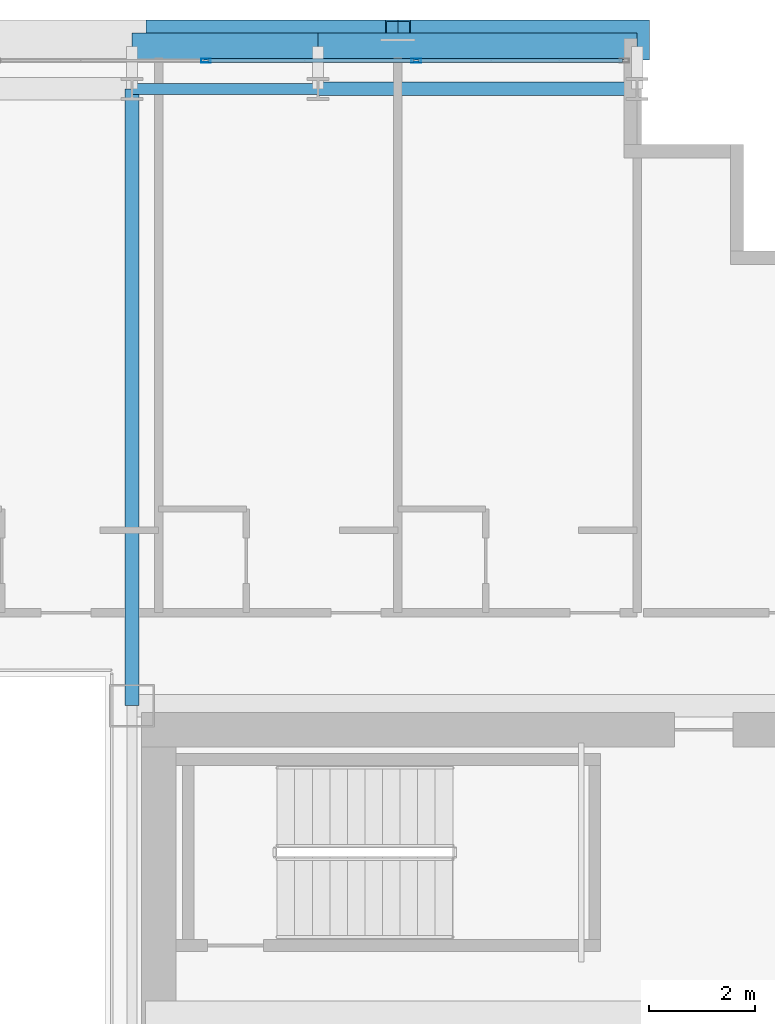
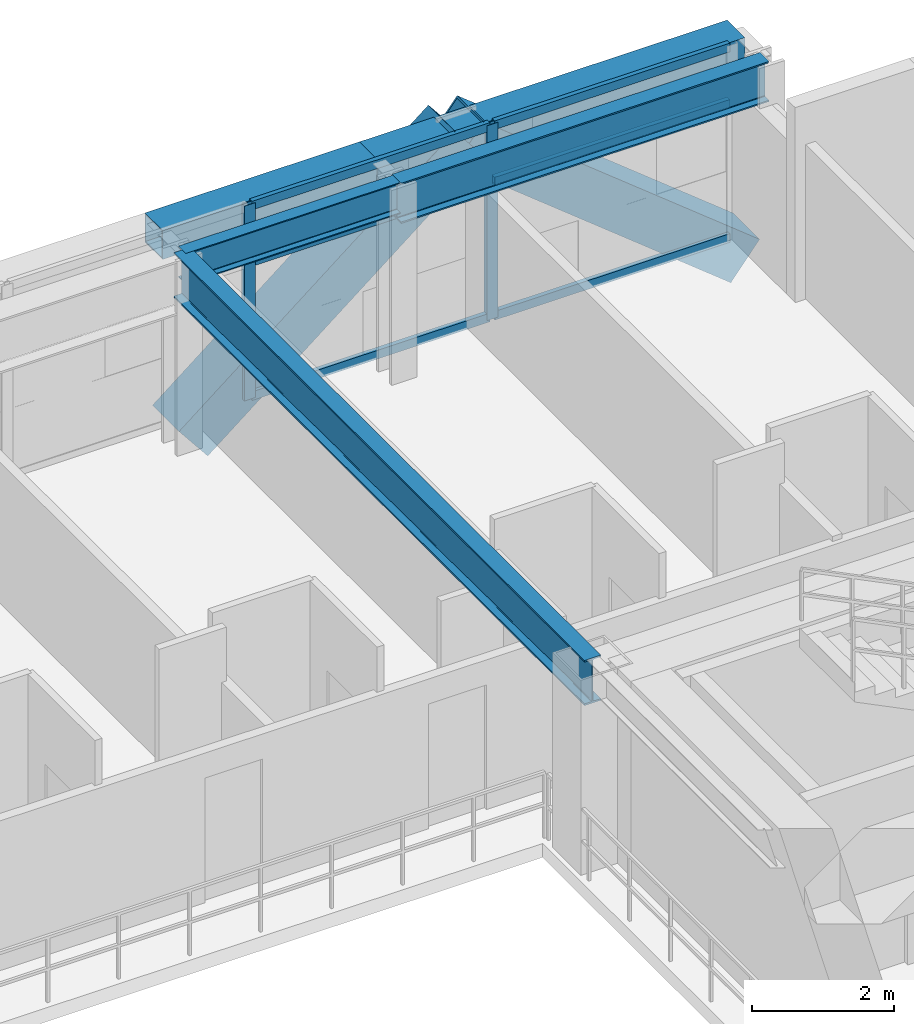
# One storey, part 21 of 36: 10 members, 5 beams, 1 element without a shape of its own.
"""IFC4 building model written with IfcOpenShell, lengths in metres."""

from ifc_helpers import new_model, si_unit, direction, frame, origin, origin_2d, place, context, subcontext, project, spatial, hollow_rectangle, i_section, extrude, source, transform, mapped, material, layer, layer_set, material_profile, profile_set, type_object, element, aggregate, save


model = new_model("IFC4")

# Units and contexts
model_context = context("Model", 3, precision=1e-05, world=origin(), true_north=direction((0.0, 1.0)))
body_context = subcontext(model_context, "Body", "Model", "MODEL_VIEW")
ifc_project = project(units=[si_unit("LENGTHUNIT", "METRE"), si_unit("AREAUNIT", "SQUARE_METRE"), si_unit("VOLUMEUNIT", "CUBIC_METRE"), si_unit("PLANEANGLEUNIT", "RADIAN"), si_unit("MASSUNIT", "GRAM", prefix="KILO")], contexts=[model_context])

# Site, building, storey
site_placement = place(None, origin())
site = spatial("IfcSite", under=ifc_project, at=site_placement, CompositionType="ELEMENT")
building_placement = place(site_placement, origin())
building = spatial("IfcBuilding", under=site, at=building_placement, Name="Ocotamira Hotel", CompositionType="ELEMENT")
storey_placement = place(building_placement, frame((0.0, 0.0, 133.199951171875)))
storey = spatial("IfcBuildingStorey", under=building, at=storey_placement, Name="L33", CompositionType="ELEMENT", Elevation=133.199951171875)

# Beams
ifc_material_1 = material(Name="Steel ASTM A992 Grade 50", Category="steel")
ifc_material_profile_1 = material_profile(ifc_material_1, i_section(OverallWidth=0.256103515625, OverallDepth=0.693115234375, WebThickness=0.014404296875, FlangeThickness=0.023681640625, FilletRadius=0.01611328125, at=origin_2d()), Name="W27X114")
ifc_profile_set_1 = profile_set([ifc_material_profile_1], Name="Steel ASTM A992 Grade 50")
beam_type_1 = type_object("IfcBeamType", Name="BM-PRIM-W27X114", PredefinedType="BEAM", material=ifc_profile_set_1)
shared_shape_1 = source(origin(), body_context, "Body", "SweptSolid", [
    extrude(i_section(OverallWidth=0.256103515625, OverallDepth=0.693115234375, WebThickness=0.014404296875, FlangeThickness=0.023681640625, FilletRadius=0.01611328125, at=origin_2d()), origin(), (0.0, 0.0, 1.0), 6.0),
])
beam_1_placement = place(storey_placement, frame((44.0, 49.050048828125, 3.013427734375), z_axis=(1.0, 0.0, 0.0), x_axis=(0.0, 1.0, 0.0)))
element("IfcBeam", 1, at=beam_1_placement, inside=storey, type_object=beam_type_1, Name="L33 Girder Y49.05 X44-50", PredefinedType="BEAM", context=body_context, shape_type="MappedRepresentation", body=[
    mapped(shared_shape_1, transform((0.0, 0.0, 0.0), scale=1.0)),
])
ifc_material_profile_2 = material_profile(ifc_material_1, i_section(OverallWidth=0.2099609375, OverallDepth=0.537109375, WebThickness=0.010986328125, FlangeThickness=0.017333984375, FilletRadius=0.012939453125, at=origin_2d()), Name="W21X68")
ifc_profile_set_2 = profile_set([ifc_material_profile_2], Name="Steel ASTM A992 Grade 50")
beam_type_2 = type_object("IfcBeamType", Name="BM-SEC-W21X68", PredefinedType="JOIST", material=ifc_profile_set_2)
shared_shape_2 = source(origin(), body_context, "Body", "SweptSolid", [
    extrude(i_section(OverallWidth=0.2099609375, OverallDepth=0.537109375, WebThickness=0.010986328125, FlangeThickness=0.017333984375, FilletRadius=0.012939453125, at=origin_2d()), origin(), (0.0, 0.0, 1.0), 3.5),
])
beam_2_placement = place(storey_placement, frame((40.5, 49.050048828125, 3.091552734375), z_axis=(1.0, 0.0, 0.0), x_axis=(0.0, 1.0, 0.0)))
element("IfcBeam", 2, at=beam_2_placement, inside=storey, type_object=beam_type_2, Name="L33 Girder Y49.05 X40.5-44", PredefinedType="JOIST", context=body_context, shape_type="MappedRepresentation", body=[
    mapped(shared_shape_2, transform((0.0, 0.0, 0.0), scale=1.0)),
])
ifc_material_profile_3 = material_profile(ifc_material_1, i_section(OverallWidth=0.26611328125, OverallDepth=0.779052734375, WebThickness=0.0166015625, FlangeThickness=0.030029296875, FilletRadius=0.01806640625, at=origin_2d()), Name="W30X148")
ifc_profile_set_3 = profile_set([ifc_material_profile_3], Name="Steel ASTM A992 Grade 50")
beam_type_3 = type_object("IfcBeamType", Name="BM-GIRD-W30X148", PredefinedType="BEAM", material=ifc_profile_set_3)
shared_shape_3 = source(origin(), body_context, "Body", "SweptSolid", [
    extrude(i_section(OverallWidth=0.26611328125, OverallDepth=0.779052734375, WebThickness=0.0166015625, FlangeThickness=0.030029296875, FilletRadius=0.01806640625, at=origin_2d()), origin(), (0.0, 0.0, 1.0), 11.60009765625),
])
beam_3_placement = place(storey_placement, frame((40.5, 37.449951171875, 2.970458984375), z_axis=(0.0, 1.0, 0.0), x_axis=(-1.0, 0.0, 0.0)))
element("IfcBeam", 3, at=beam_3_placement, inside=storey, type_object=beam_type_3, Name="L33 Beam X40.5 Y37.45-49.05", PredefinedType="BEAM", context=body_context, shape_type="MappedRepresentation", body=[
    mapped(shared_shape_3, transform((0.0, 0.0, 0.0), scale=1.0)),
])
ifc_material_2 = material(Name="Steel ASTM A500 Grade C", Category="steel")
ifc_material_profile_4 = material_profile(ifc_material_2, hollow_rectangle(XDim=0.5, YDim=0.5, WallThickness=0.02001953125, at=origin_2d()), Name="HSS500X500X20")
ifc_profile_set_4 = profile_set([ifc_material_profile_4], Name="Steel ASTM A500 Grade C")
beam_type_4 = type_object("IfcBeamType", Name="BM-SPAN-HSS500", PredefinedType="USERDEFINED", material=ifc_profile_set_4)
shared_shape_4 = source(origin(), body_context, "Body", "SweptSolid", [
    extrude(hollow_rectangle(XDim=0.5, YDim=0.5, WallThickness=0.02001953125, at=origin_2d()), origin(), (0.0, 0.0, 1.0), 6.0),
])
beam_4_placement = place(storey_placement, frame((44.0, 49.85009765625, 3.110107421875), z_axis=(1.0, 0.0, 0.0), x_axis=(0.0, 1.0, 0.0)))
element("IfcBeam", 4, at=beam_4_placement, inside=storey, type_object=beam_type_4, Name="L33 Edge Spandrel N X44-50", ObjectType="SPANDREL", PredefinedType="USERDEFINED", context=body_context, shape_type="MappedRepresentation", body=[
    mapped(shared_shape_4, transform((0.0, 0.0, 0.0), scale=1.0)),
])
shared_shape_5 = source(origin(), body_context, "Body", "SweptSolid", [
    extrude(hollow_rectangle(XDim=0.5, YDim=0.5, WallThickness=0.02001953125, at=origin_2d()), origin(), (0.0, 0.0, 1.0), 3.5),
])
beam_5_placement = place(storey_placement, frame((40.5, 49.85009765625, 3.110107421875), z_axis=(1.0, 0.0, 0.0), x_axis=(0.0, 1.0, 0.0)))
element("IfcBeam", 5, at=beam_5_placement, inside=storey, type_object=beam_type_4, Name="L33 Edge Spandrel N X40.5-44", ObjectType="SPANDREL", PredefinedType="USERDEFINED", context=body_context, shape_type="MappedRepresentation", body=[
    mapped(shared_shape_5, transform((0.0, 0.0, 0.0), scale=1.0)),
])

# Members
ifc_material_3 = material(Name="Pale-metal coated steel ASTM A913 Grade 65", Category="steel")
ifc_material_profile_5 = material_profile(ifc_material_3, hollow_rectangle(XDim=0.75, YDim=0.75, WallThickness=0.028076171875, at=origin_2d()), Name="BOX750X750X28")
ifc_profile_set_5 = profile_set([ifc_material_profile_5], Name="Pale-metal coated steel ASTM A913 Grade 65")
member_type_1 = type_object("IfcMemberType", Name="MEM-EXO-BOX750", PredefinedType="BRACE", material=ifc_profile_set_5)
shared_shape_6 = source(origin(), body_context, "Body", "SweptSolid", [
    extrude(hollow_rectangle(XDim=0.75, YDim=0.75, WallThickness=0.028076171875, at=origin_2d()), origin(), (0.0, 0.0, 1.0), 5.762939453125),
])
for number, where, z_axis, x_axis, name in (
    (6, (41.0, 49.969970703125, -0.489990234375), (0.780860543151, 0.0, 0.624705380279), (0.0, 1.0, 0.0), "L33 Exoskeleton Diagrid N3.1"),
    (7, (50.0, 49.969970703125, -0.489990234375), (-0.780860543151, 0.0, 0.624705380279), (0.0, -1.0, 0.0), "L33 Exoskeleton Diagrid N3.2"),
):
    element("IfcMember", number, at=place(storey_placement, frame(where, z_axis=z_axis, x_axis=x_axis)), inside=storey, type_object=member_type_1, Name=name, PredefinedType="BRACE", context=body_context, shape_type="MappedRepresentation", body=[
        mapped(shared_shape_6, transform((0.0, 0.0, 0.0), scale=1.0)),
    ])

# Curtain wall, members
ifc_material_4 = material(Name="Anodised pale-metal aluminium and solar glass", Category="aluminium")
ifc_layer = layer(ifc_material_4, 0.179931640625)
ifc_layer_set = layer_set([ifc_layer], Name="Anodised pale-metal aluminium and solar glass")
curtain_wall_type = type_object("IfcCurtainWallType", Name="CW-SYS3-Z2", PredefinedType="NOTDEFINED", material=ifc_layer_set)
curtain_wall_placement = place(storey_placement, origin())
curtain_wall = element("IfcCurtainWall", 8, at=curtain_wall_placement, inside=storey, type_object=curtain_wall_type, Name="L33 Curtain Wall CW-3 CW-L33-N", PredefinedType="NOTDEFINED")
ifc_material_5 = material(Name="Anodised pale-metal aluminium 6063-T6", Category="aluminium")
ifc_material_profile_6 = material_profile(ifc_material_5, hollow_rectangle(XDim=0.074951171875, YDim=0.14990234375, WallThickness=0.006103515625, at=origin_2d()), Name="HSS150X75X6")
ifc_profile_set_6 = profile_set([ifc_material_profile_6], Name="Anodised pale-metal aluminium 6063-T6")
member_type_2 = type_object("IfcMemberType", Name="CWT-150X75", PredefinedType="USERDEFINED", material=ifc_profile_set_6)
shared_shape_7 = source(origin(), body_context, "Body", "SweptSolid", [
    extrude(hollow_rectangle(XDim=0.074951171875, YDim=0.14990234375, WallThickness=0.006103515625, at=origin_2d()), origin(), (0.0, 0.0, 1.0), 3.83544921875),
])
member_1_placement = place(storey_placement, frame((45.884521484375, 49.580078125, 0.03759765625), z_axis=(1.0, 0.0, 0.0), x_axis=(0.0, 1.0, 0.0)))
member_1 = element("IfcMember", 9, at=member_1_placement, type_object=member_type_2, Name="CW-3 transom 9.1", ObjectType="TRANSOM", PredefinedType="USERDEFINED", context=body_context, shape_type="MappedRepresentation", body=[
    mapped(shared_shape_7, transform((0.0, 0.0, 0.0), scale=1.0)),
])
member_2_placement = place(storey_placement, frame((45.884521484375, 49.580078125, 2.35009765625), z_axis=(1.0, 0.0, 0.0), x_axis=(0.0, 1.0, 0.0)))
member_2 = element("IfcMember", 10, at=member_2_placement, type_object=member_type_2, Name="CW-3 transom 9.2", ObjectType="TRANSOM", PredefinedType="USERDEFINED", context=body_context, shape_type="MappedRepresentation", body=[
    mapped(shared_shape_7, transform((0.0, 0.0, 0.0), scale=1.0)),
])
member_3_placement = place(storey_placement, frame((45.884521484375, 49.580078125, 3.322509765625), z_axis=(1.0, 0.0, 0.0), x_axis=(0.0, 1.0, 0.0)))
member_3 = element("IfcMember", 11, at=member_3_placement, type_object=member_type_2, Name="CW-3 transom 9.3", ObjectType="TRANSOM", PredefinedType="USERDEFINED", context=body_context, shape_type="MappedRepresentation", body=[
    mapped(shared_shape_7, transform((0.0, 0.0, 0.0), scale=1.0)),
])
shared_shape_8 = source(origin(), body_context, "Body", "SweptSolid", [
    extrude(hollow_rectangle(XDim=0.074951171875, YDim=0.14990234375, WallThickness=0.006103515625, at=origin_2d()), origin(), (0.0, 0.0, 1.0), 3.87548828125),
])
member_4_placement = place(storey_placement, frame((41.928955078125, 49.580078125, 0.03759765625), z_axis=(1.0, 0.0, 0.0), x_axis=(0.0, 1.0, 0.0)))
member_4 = element("IfcMember", 12, at=member_4_placement, type_object=member_type_2, Name="CW-3 transom 8.1", ObjectType="TRANSOM", PredefinedType="USERDEFINED", context=body_context, shape_type="MappedRepresentation", body=[
    mapped(shared_shape_8, transform((0.0, 0.0, 0.0), scale=1.0)),
])
member_5_placement = place(storey_placement, frame((41.928955078125, 49.580078125, 2.35009765625), z_axis=(1.0, 0.0, 0.0), x_axis=(0.0, 1.0, 0.0)))
member_5 = element("IfcMember", 13, at=member_5_placement, type_object=member_type_2, Name="CW-3 transom 8.2", ObjectType="TRANSOM", PredefinedType="USERDEFINED", context=body_context, shape_type="MappedRepresentation", body=[
    mapped(shared_shape_8, transform((0.0, 0.0, 0.0), scale=1.0)),
])
member_6_placement = place(storey_placement, frame((41.928955078125, 49.580078125, 3.322509765625), z_axis=(1.0, 0.0, 0.0), x_axis=(0.0, 1.0, 0.0)))
member_6 = element("IfcMember", 14, at=member_6_placement, type_object=member_type_2, Name="CW-3 transom 8.3", ObjectType="TRANSOM", PredefinedType="USERDEFINED", context=body_context, shape_type="MappedRepresentation", body=[
    mapped(shared_shape_8, transform((0.0, 0.0, 0.0), scale=1.0)),
])
ifc_material_profile_7 = material_profile(ifc_material_5, hollow_rectangle(XDim=0.080078125, YDim=0.179931640625, WallThickness=0.006103515625, at=origin_2d()), Name="HSS180X80X6")
ifc_profile_set_7 = profile_set([ifc_material_profile_7], Name="Anodised pale-metal aluminium 6063-T6")
member_type_3 = type_object("IfcMemberType", Name="CWM-180X75", PredefinedType="MULLION", material=ifc_profile_set_7)
shared_shape_9 = source(origin(), body_context, "Body", "SweptSolid", [
    extrude(hollow_rectangle(XDim=0.080078125, YDim=0.179931640625, WallThickness=0.006103515625, at=origin_2d()), origin(), (0.0, 0.0, 1.0), 3.360107421875),
])
member_7_placement = place(storey_placement, frame((41.888916015625, 49.580078125, 0.0), z_axis=(0.0, 0.0, 1.0), x_axis=(0.0, 1.0, 0.0)))
member_7 = element("IfcMember", 15, at=member_7_placement, type_object=member_type_3, Name="CW-3 mullion 8", PredefinedType="MULLION", context=body_context, shape_type="MappedRepresentation", body=[
    mapped(shared_shape_9, transform((0.0, 0.0, 0.0), scale=1.0)),
])
member_8_placement = place(storey_placement, frame((45.844482421875, 49.580078125, 0.0), z_axis=(0.0, 0.0, 1.0), x_axis=(0.0, 1.0, 0.0)))
member_8 = element("IfcMember", 16, at=member_8_placement, type_object=member_type_3, Name="CW-3 mullion 9", PredefinedType="MULLION", context=body_context, shape_type="MappedRepresentation", body=[
    mapped(shared_shape_9, transform((0.0, 0.0, 0.0), scale=1.0)),
])
aggregate(curtain_wall, [member_7, member_8, member_4, member_5, member_6, member_1, member_2, member_3])

save(model, "model.ifc")
